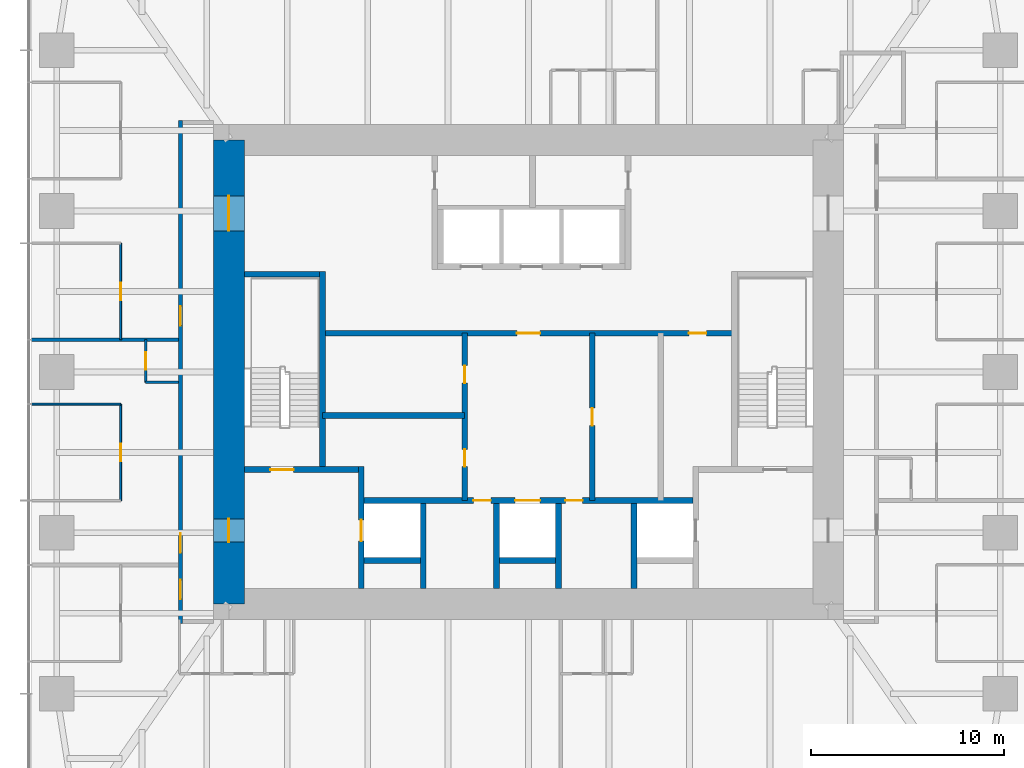
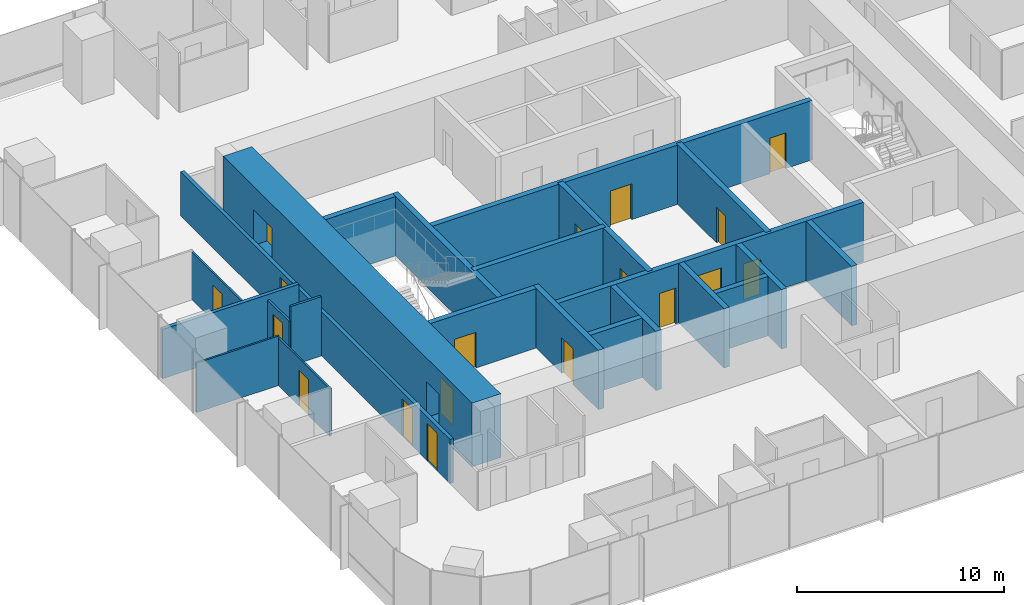
# One storey, part 9 of 13: 23 walls, 18 doors, 18 openings.
"""IFC4 building model written with IfcOpenShell, lengths in metres."""

from ifc_helpers import new_model, si_unit, direction, frame, frame_2d, origin, place, context, subcontext, project, spatial, rectangle, extrude, material, layer, layer_set, type_object, element, fill, save


model = new_model("IFC4")

# Units and contexts
model_context = context("Model", 3, precision=1e-05, world=origin(), true_north=direction((0.0, 1.0)))
body_context = subcontext(model_context, "Body", "Model", "MODEL_VIEW")
ifc_project = project(units=[si_unit("LENGTHUNIT", "METRE"), si_unit("AREAUNIT", "SQUARE_METRE"), si_unit("VOLUMEUNIT", "CUBIC_METRE"), si_unit("PLANEANGLEUNIT", "RADIAN"), si_unit("MASSUNIT", "GRAM", prefix="KILO")], contexts=[model_context])

# Site, building, storey
site_placement = place(None, origin())
site = spatial("IfcSite", under=ifc_project, at=site_placement, CompositionType="ELEMENT")
building_placement = place(site_placement, origin())
building = spatial("IfcBuilding", under=site, at=building_placement, Name="Khuree Lantern Residences", CompositionType="ELEMENT")
storey_placement = place(building_placement, frame((0.0, 0.0, 255.75)))
storey = spatial("IfcBuildingStorey", under=building, at=storey_placement, Name="L64", CompositionType="ELEMENT", Elevation=255.75)

# Wall, opening, door
ifc_material_1 = material(Name="Moisture-resistant gypsum board on steel studs", Category="steel")
ifc_layer_1 = layer(ifc_material_1, 0.125)
ifc_layer_set_1 = layer_set([ifc_layer_1], Name="BATHROOM WALL BTW125")
wall_type_1 = type_object("IfcWallType", Name="BATHROOM WALL BTW125", PredefinedType="PARTITIONING", material=ifc_layer_set_1)
wall_1_placement = place(storey_placement, frame((-19.800048828125, 1.6640625, 0.0), z_axis=(0.0, 0.0, 1.0), x_axis=(0.0, -1.0, 0.0)))
wall_1 = element("IfcWall", 1, at=wall_1_placement, inside=storey, type_object=wall_type_1, Name="L64 BATHROOM WALL 04", PredefinedType="PARTITIONING", context=body_context, shape_type="SweptSolid", body=[
    extrude(rectangle(XDim=2.199951171875, YDim=0.125, at=frame_2d((1.10009765625, 0.0))), origin(), (0.0, 0.0, 1.0), 2.60009765625),
])
opening_1_placement = place(wall_1_placement, frame((0.64990234375, 0.0, 0.0)))
opening_1 = element("IfcOpeningElement", 2, at=opening_1_placement, cuts=wall_1, Name="Opening 64-043", PredefinedType="OPENING", context=body_context, shape_type="SweptSolid", body=[
    extrude(rectangle(XDim=0.89990234375, YDim=2.10009765625, at=frame_2d((0.449951171875, 1.050048828125))), frame((0.0, 0.072509765625, 0.0), z_axis=(0.0, -1.0, 0.0), x_axis=(1.0, 0.0, 0.0)), (0.0, 0.0, 1.0), 0.14501953125),
])
ifc_material_2 = material(Name="Timber door leaf in hardwood frame", Category="wood")
door_type_1 = type_object("IfcDoorType", Name="BATHROOM DOOR 900X2100", OperationType="SINGLE_SWING_LEFT", PredefinedType="DOOR", material=ifc_material_2)
door_1_placement = place(opening_1_placement, origin())
door_1 = element("IfcDoor", 3, at=door_1_placement, inside=storey, type_object=door_type_1, Name="Bathroom door 64-043", OperationType="SINGLE_SWING_LEFT", OverallHeight=2.10009765625, OverallWidth=0.89990234375, PredefinedType="DOOR", context=body_context, shape_type="SweptSolid", body=[
    extrude(rectangle(XDim=0.89990234375, YDim=2.10009765625, at=frame_2d((0.449951171875, 1.050048828125))), frame((0.0, 0.02490234375, 0.0), z_axis=(0.0, -1.0, 0.0), x_axis=(1.0, 0.0, 0.0)), (0.0, 0.0, 1.0), 0.050048828125),
])
fill(opening_1, door_1)

# Wall
wall_2_placement = place(storey_placement, frame((-18.10009765625, -0.535888671875, 0.0), z_axis=(0.0, 0.0, 1.0), x_axis=(-1.0, 0.0, 0.0)))
element("IfcWall", 4, at=wall_2_placement, inside=storey, type_object=wall_type_1, Name="L64 BATHROOM WALL 04", PredefinedType="PARTITIONING", context=body_context, shape_type="SweptSolid", body=[
    extrude(rectangle(XDim=1.699951171875, YDim=0.125, at=frame_2d((0.85009765625, 0.0))), origin(), (0.0, 0.0, 1.0), 3.5),
])

# Wall, opening, door
ifc_material_3 = material(Name="Dense concrete blockwork", Category="masonry")
ifc_layer_2 = layer(ifc_material_3, 0.300048828125)
ifc_layer_set_2 = layer_set([ifc_layer_2], Name="CORE PARTITION WALL CPW300 EI 120")
wall_type_2 = type_object("IfcWallType", Name="CORE PARTITION WALL CPW300 EI 120", PredefinedType="PARTITIONING", material=ifc_layer_set_2)
wall_3_placement = place(storey_placement, frame((-8.64990234375, -11.199951171875, 0.0), z_axis=(0.0, 0.0, 1.0), x_axis=(0.0, 1.0, 0.0)))
wall_3 = element("IfcWall", 5, at=wall_3_placement, inside=storey, type_object=wall_type_2, Name="L64 CORE WALL FL1W", PredefinedType="PARTITIONING", context=body_context, shape_type="SweptSolid", body=[
    extrude(rectangle(XDim=6.300048828125, YDim=0.300048828125, at=frame_2d((3.14990234375, 0.0))), origin(), (0.0, 0.0, 1.0), 3.5),
])
opening_2_placement = place(wall_3_placement, frame((2.449951171875, 0.0, 0.0)))
opening_2 = element("IfcOpeningElement", 6, at=opening_2_placement, cuts=wall_3, Name="Opening 64-007", PredefinedType="OPENING", context=body_context, shape_type="SweptSolid", body=[
    extrude(rectangle(XDim=1.10009765625, YDim=2.10009765625, at=frame_2d((0.550048828125, 1.050048828125))), frame((0.0, 0.16015625, 0.0), z_axis=(0.0, -1.0, 0.0), x_axis=(1.0, 0.0, 0.0)), (0.0, 0.0, 1.0), 0.320068359375),
])
ifc_material_4 = material(Name="Stainless steel lift landing door", Category="steel")
door_type_2 = type_object("IfcDoorType", Name="LIFT LANDING DOOR 1100X2100 E 120", OperationType="DOUBLE_DOOR_SLIDING", PredefinedType="DOOR", material=ifc_material_4)
door_2_placement = place(opening_2_placement, origin())
door_2 = element("IfcDoor", 7, at=door_2_placement, inside=storey, type_object=door_type_2, Name="Landing door FL1 64-007", OperationType="DOUBLE_DOOR_SLIDING", OverallHeight=2.10009765625, OverallWidth=1.10009765625, PredefinedType="DOOR", context=body_context, shape_type="SweptSolid", body=[
    extrude(rectangle(XDim=1.10009765625, YDim=2.10009765625, at=frame_2d((0.550048828125, 1.050048828125))), frame((0.0, 0.02490234375, 0.0), z_axis=(0.0, -1.0, 0.0), x_axis=(1.0, 0.0, 0.0)), (0.0, 0.0, 1.0), 0.050048828125),
])
fill(opening_2, door_2)

# Wall, openings, doors
wall_4_placement = place(storey_placement, frame((-8.5, -6.64990234375, 0.0), z_axis=(0.0, 0.0, 1.0), x_axis=(1.0, 0.0, 0.0)))
wall_4 = element("IfcWall", 8, at=wall_4_placement, inside=storey, type_object=wall_type_2, Name="L64 CORE WALL FLROW", PredefinedType="PARTITIONING", context=body_context, shape_type="SweptSolid", body=[
    extrude(rectangle(XDim=17.0, YDim=0.300048828125, at=frame_2d((8.5, 0.0))), origin(), (0.0, 0.0, 1.0), 3.5),
])
opening_3_placement = place(wall_4_placement, frame((7.800048828125, 0.0, 0.0)))
opening_3 = element("IfcOpeningElement", 9, at=opening_3_placement, cuts=wall_4, Name="Opening 64-012", PredefinedType="OPENING", context=body_context, shape_type="SweptSolid", body=[
    extrude(rectangle(XDim=1.300048828125, YDim=2.39990234375, at=frame_2d((0.64990234375, 1.199951171875))), frame((0.0, 0.16015625, 0.0), z_axis=(0.0, -1.0, 0.0), x_axis=(1.0, 0.0, 0.0)), (0.0, 0.0, 1.0), 0.320068359375),
])
opening_4_placement = place(wall_4_placement, frame((5.64990234375, 0.0, 0.0)))
opening_4 = element("IfcOpeningElement", 10, at=opening_4_placement, cuts=wall_4, Name="Opening 64-014", PredefinedType="OPENING", context=body_context, shape_type="SweptSolid", body=[
    extrude(rectangle(XDim=0.89990234375, YDim=2.10009765625, at=frame_2d((0.449951171875, 1.050048828125))), frame((0.0, 0.16015625, 0.0), z_axis=(0.0, -1.0, 0.0), x_axis=(1.0, 0.0, 0.0)), (0.0, 0.0, 1.0), 0.320068359375),
])
opening_5_placement = place(wall_4_placement, frame((10.39990234375, 0.0, 0.0)))
opening_5 = element("IfcOpeningElement", 11, at=opening_5_placement, cuts=wall_4, Name="Opening 64-015", PredefinedType="OPENING", context=body_context, shape_type="SweptSolid", body=[
    extrude(rectangle(XDim=0.89990234375, YDim=2.10009765625, at=frame_2d((0.449951171875, 1.050048828125))), frame((0.0, 0.16015625, 0.0), z_axis=(0.0, -1.0, 0.0), x_axis=(1.0, 0.0, 0.0)), (0.0, 0.0, 1.0), 0.320068359375),
])
ifc_material_5 = material(Name="Steel door leaf in steel frame", Category="steel")
door_type_3 = type_object("IfcDoorType", Name="DOOR 900X2100 EI 60", OperationType="SINGLE_SWING_LEFT", PredefinedType="DOOR", material=ifc_material_5)
door_3_placement = place(opening_4_placement, origin())
door_3 = element("IfcDoor", 12, at=door_3_placement, inside=storey, type_object=door_type_3, Name="Refuse chute room door 64-014", OperationType="SINGLE_SWING_LEFT", OverallHeight=2.10009765625, OverallWidth=0.89990234375, PredefinedType="DOOR", context=body_context, shape_type="SweptSolid", body=[
    extrude(rectangle(XDim=0.89990234375, YDim=2.10009765625, at=frame_2d((0.449951171875, 1.050048828125))), frame((0.0, 0.02490234375, 0.0), z_axis=(0.0, -1.0, 0.0), x_axis=(1.0, 0.0, 0.0)), (0.0, 0.0, 1.0), 0.050048828125),
])
fill(opening_4, door_3)
door_type_4 = type_object("IfcDoorType", Name="DOOR 900X2100 EI 60 RIGHT HAND", OperationType="SINGLE_SWING_RIGHT", PredefinedType="DOOR", material=ifc_material_5)
door_4_placement = place(opening_5_placement, origin())
door_4 = element("IfcDoor", 13, at=door_4_placement, inside=storey, type_object=door_type_4, Name="Electrical and plumbing riser door 64-015", OperationType="SINGLE_SWING_RIGHT", OverallHeight=2.10009765625, OverallWidth=0.89990234375, PredefinedType="DOOR", context=body_context, shape_type="SweptSolid", body=[
    extrude(rectangle(XDim=0.89990234375, YDim=2.10009765625, at=frame_2d((0.449951171875, 1.050048828125))), frame((0.0, 0.02490234375, 0.0), z_axis=(0.0, -1.0, 0.0), x_axis=(1.0, 0.0, 0.0)), (0.0, 0.0, 1.0), 0.050048828125),
])
fill(opening_5, door_4)
door_type_5 = type_object("IfcDoorType", Name="LIFT LANDING DOOR 1300X2400 E 60", OperationType="DOUBLE_DOOR_SLIDING", PredefinedType="DOOR", material=ifc_material_4)
door_5_placement = place(opening_3_placement, origin())
door_5 = element("IfcDoor", 14, at=door_5_placement, inside=storey, type_object=door_type_5, Name="Landing door SL1 64-012", OperationType="DOUBLE_DOOR_SLIDING", OverallHeight=2.39990234375, OverallWidth=1.300048828125, PredefinedType="DOOR", context=body_context, shape_type="SweptSolid", body=[
    extrude(rectangle(XDim=1.300048828125, YDim=2.39990234375, at=frame_2d((0.64990234375, 1.199951171875))), frame((0.0, 0.02490234375, 0.0), z_axis=(0.0, -1.0, 0.0), x_axis=(1.0, 0.0, 0.0)), (0.0, 0.0, 1.0), 0.050048828125),
])
fill(opening_3, door_5)

# Walls
for number, where, z_axis, x_axis, name in (
    (15, (-5.449951171875, -11.199951171875, 0.0), (0.0, 0.0, 1.0), (0.0, 1.0, 0.0), "L64 CORE WALL FL1E"),
    (16, (-1.64990234375, -11.199951171875, 0.0), (0.0, 0.0, 1.0), (0.0, 1.0, 0.0), "L64 CORE WALL SL1W"),
    (17, (1.550048828125, -11.199951171875, 0.0), (0.0, 0.0, 1.0), (0.0, 1.0, 0.0), "L64 CORE WALL SL1E"),
    (18, (5.449951171875, -11.199951171875, 0.0), (0.0, 0.0, 1.0), (0.0, 1.0, 0.0), "L64 CORE WALL FL2W"),
):
    element("IfcWall", number, at=place(storey_placement, frame(where, z_axis=z_axis, x_axis=x_axis)), inside=storey, type_object=wall_type_2, Name=name, PredefinedType="PARTITIONING", context=body_context, shape_type="SweptSolid", body=[
        extrude(rectangle(XDim=4.39990234375, YDim=0.300048828125, at=frame_2d((2.199951171875, 0.0))), origin(), (0.0, 0.0, 1.0), 3.5),
    ])
for number, where, z_axis, x_axis, name in (
    (19, (-8.5, -9.75, 0.0), (0.0, 0.0, 1.0), (1.0, 0.0, 0.0), "L64 CORE WALL FL1S"),
    (20, (-1.5, -9.75, 0.0), (0.0, 0.0, 1.0), (1.0, 0.0, 0.0), "L64 CORE WALL SL1S"),
):
    element("IfcWall", number, at=place(storey_placement, frame(where, z_axis=z_axis, x_axis=x_axis)), inside=storey, type_object=wall_type_2, Name=name, PredefinedType="PARTITIONING", context=body_context, shape_type="SweptSolid", body=[
        extrude(rectangle(XDim=2.89990234375, YDim=0.300048828125, at=frame_2d((1.449951171875, 0.0))), origin(), (0.0, 0.0, 1.0), 3.5),
    ])

# Wall, openings, doors
wall_5_placement = place(storey_placement, frame((-10.64990234375, 2.0, 0.0), z_axis=(0.0, 0.0, 1.0), x_axis=(1.0, 0.0, 0.0)))
wall_5 = element("IfcWall", 21, at=wall_5_placement, inside=storey, type_object=wall_type_2, Name="L64 CORE WALL LLS", PredefinedType="PARTITIONING", context=body_context, shape_type="SweptSolid", body=[
    extrude(rectangle(XDim=21.2998046875, YDim=0.300048828125, at=frame_2d((10.64990234375, 0.0))), origin(), (0.0, 0.0, 1.0), 3.5),
])
opening_6_placement = place(wall_5_placement, frame((10.050048828125, 0.0, 0.0)))
opening_6 = element("IfcOpeningElement", 22, at=opening_6_placement, cuts=wall_5, Name="Opening 64-013", PredefinedType="OPENING", context=body_context, shape_type="SweptSolid", body=[
    extrude(rectangle(XDim=1.199951171875, YDim=2.10009765625, at=frame_2d((0.60009765625, 1.050048828125))), frame((0.0, 0.16015625, 0.0), z_axis=(0.0, -1.0, 0.0), x_axis=(1.0, 0.0, 0.0)), (0.0, 0.0, 1.0), 0.320068359375),
])
opening_7_placement = place(wall_5_placement, frame((18.94189453125, 0.0, 0.0)))
opening_7 = element("IfcOpeningElement", 23, at=opening_7_placement, cuts=wall_5, Name="Opening 64-019", PredefinedType="OPENING", context=body_context, shape_type="SweptSolid", body=[
    extrude(rectangle(XDim=0.89990234375, YDim=2.10009765625, at=frame_2d((0.449951171875, 1.050048828125))), frame((0.0, 0.16015625, 0.0), z_axis=(0.0, -1.0, 0.0), x_axis=(1.0, 0.0, 0.0)), (0.0, 0.0, 1.0), 0.320068359375),
])
door_type_6 = type_object("IfcDoorType", Name="DOOR 1200X2100 EI 60", OperationType="SINGLE_SWING_LEFT", PredefinedType="DOOR", material=ifc_material_5)
door_6_placement = place(opening_6_placement, origin())
door_6 = element("IfcDoor", 24, at=door_6_placement, inside=storey, type_object=door_type_6, Name="Service lift lobby door 64-013", OperationType="SINGLE_SWING_LEFT", OverallHeight=2.10009765625, OverallWidth=1.199951171875, PredefinedType="DOOR", context=body_context, shape_type="SweptSolid", body=[
    extrude(rectangle(XDim=1.199951171875, YDim=2.10009765625, at=frame_2d((0.60009765625, 1.050048828125))), frame((0.0, 0.02490234375, 0.0), z_axis=(0.0, -1.0, 0.0), x_axis=(1.0, 0.0, 0.0)), (0.0, 0.0, 1.0), 0.050048828125),
])
fill(opening_6, door_6)
door_type_7 = type_object("IfcDoorType", Name="DOOR 900X2100 RIGHT HAND", OperationType="SINGLE_SWING_RIGHT", PredefinedType="DOOR", material=ifc_material_2)
door_7_placement = place(opening_7_placement, origin())
door_7 = element("IfcDoor", 25, at=door_7_placement, inside=storey, type_object=door_type_7, Name="Residents' store door 64-019", OperationType="SINGLE_SWING_RIGHT", OverallHeight=2.10009765625, OverallWidth=0.89990234375, PredefinedType="DOOR", context=body_context, shape_type="SweptSolid", body=[
    extrude(rectangle(XDim=0.89990234375, YDim=2.10009765625, at=frame_2d((0.449951171875, 1.050048828125))), frame((0.0, 0.02490234375, 0.0), z_axis=(0.0, -1.0, 0.0), x_axis=(1.0, 0.0, 0.0)), (0.0, 0.0, 1.0), 0.050048828125),
])
fill(opening_7, door_7)

wall_6_placement = place(storey_placement, frame((-3.300048828125, -6.64990234375, 0.0), z_axis=(0.0, 0.0, 1.0), x_axis=(0.0, 1.0, 0.0)))
wall_6 = element("IfcWall", 26, at=wall_6_placement, inside=storey, type_object=wall_type_2, Name="L64 CORE WALL SVW", PredefinedType="PARTITIONING", context=body_context, shape_type="SweptSolid", body=[
    extrude(rectangle(XDim=8.64990234375, YDim=0.300048828125, at=frame_2d((4.324951171875, 0.0))), origin(), (0.0, 0.0, 1.0), 3.5),
])
opening_8_placement = place(wall_6_placement, frame((1.75, 0.0, 0.0)))
opening_8 = element("IfcOpeningElement", 27, at=opening_8_placement, cuts=wall_6, Name="Opening 64-016", PredefinedType="OPENING", context=body_context, shape_type="SweptSolid", body=[
    extrude(rectangle(XDim=0.89990234375, YDim=2.10009765625, at=frame_2d((0.449951171875, 1.050048828125))), frame((0.0, 0.16015625, 0.0), z_axis=(0.0, -1.0, 0.0), x_axis=(1.0, 0.0, 0.0)), (0.0, 0.0, 1.0), 0.320068359375),
])
opening_9_placement = place(wall_6_placement, frame((6.074951171875, 0.0, 0.0)))
opening_9 = element("IfcOpeningElement", 28, at=opening_9_placement, cuts=wall_6, Name="Opening 64-017", PredefinedType="OPENING", context=body_context, shape_type="SweptSolid", body=[
    extrude(rectangle(XDim=0.89990234375, YDim=2.10009765625, at=frame_2d((0.449951171875, 1.050048828125))), frame((0.0, 0.16015625, 0.0), z_axis=(0.0, -1.0, 0.0), x_axis=(1.0, 0.0, 0.0)), (0.0, 0.0, 1.0), 0.320068359375),
])
door_type_8 = type_object("IfcDoorType", Name="DOOR 900X2100", OperationType="SINGLE_SWING_LEFT", PredefinedType="DOOR", material=ifc_material_2)
door_8_placement = place(opening_8_placement, origin())
door_8 = element("IfcDoor", 29, at=door_8_placement, inside=storey, type_object=door_type_8, Name="Residents' store door 64-016", OperationType="SINGLE_SWING_LEFT", OverallHeight=2.10009765625, OverallWidth=0.89990234375, PredefinedType="DOOR", context=body_context, shape_type="SweptSolid", body=[
    extrude(rectangle(XDim=0.89990234375, YDim=2.10009765625, at=frame_2d((0.449951171875, 1.050048828125))), frame((0.0, 0.02490234375, 0.0), z_axis=(0.0, -1.0, 0.0), x_axis=(1.0, 0.0, 0.0)), (0.0, 0.0, 1.0), 0.050048828125),
])
fill(opening_8, door_8)
door_9_placement = place(opening_9_placement, origin())
door_9 = element("IfcDoor", 30, at=door_9_placement, inside=storey, type_object=door_type_8, Name="Residents' store door 64-017", OperationType="SINGLE_SWING_LEFT", OverallHeight=2.10009765625, OverallWidth=0.89990234375, PredefinedType="DOOR", context=body_context, shape_type="SweptSolid", body=[
    extrude(rectangle(XDim=0.89990234375, YDim=2.10009765625, at=frame_2d((0.449951171875, 1.050048828125))), frame((0.0, 0.02490234375, 0.0), z_axis=(0.0, -1.0, 0.0), x_axis=(1.0, 0.0, 0.0)), (0.0, 0.0, 1.0), 0.050048828125),
])
fill(opening_9, door_9)

# Wall, opening, door
wall_7_placement = place(storey_placement, frame((3.300048828125, -6.64990234375, 0.0), z_axis=(0.0, 0.0, 1.0), x_axis=(0.0, 1.0, 0.0)))
wall_7 = element("IfcWall", 31, at=wall_7_placement, inside=storey, type_object=wall_type_2, Name="L64 CORE WALL SVE", PredefinedType="PARTITIONING", context=body_context, shape_type="SweptSolid", body=[
    extrude(rectangle(XDim=8.64990234375, YDim=0.300048828125, at=frame_2d((4.324951171875, 0.0))), origin(), (0.0, 0.0, 1.0), 3.5),
])
opening_10_placement = place(wall_7_placement, frame((3.875, 0.0, 0.0)))
opening_10 = element("IfcOpeningElement", 32, at=opening_10_placement, cuts=wall_7, Name="Opening 64-018", PredefinedType="OPENING", context=body_context, shape_type="SweptSolid", body=[
    extrude(rectangle(XDim=0.89990234375, YDim=2.10009765625, at=frame_2d((0.449951171875, 1.050048828125))), frame((0.0, 0.16015625, 0.0), z_axis=(0.0, -1.0, 0.0), x_axis=(1.0, 0.0, 0.0)), (0.0, 0.0, 1.0), 0.320068359375),
])
door_10_placement = place(opening_10_placement, origin())
door_10 = element("IfcDoor", 33, at=door_10_placement, inside=storey, type_object=door_type_8, Name="Residents' store door 64-018", OperationType="SINGLE_SWING_LEFT", OverallHeight=2.10009765625, OverallWidth=0.89990234375, PredefinedType="DOOR", context=body_context, shape_type="SweptSolid", body=[
    extrude(rectangle(XDim=0.89990234375, YDim=2.10009765625, at=frame_2d((0.449951171875, 1.050048828125))), frame((0.0, 0.02490234375, 0.0), z_axis=(0.0, -1.0, 0.0), x_axis=(1.0, 0.0, 0.0)), (0.0, 0.0, 1.0), 0.050048828125),
])
fill(opening_10, door_10)

# Wall
wall_8_placement = place(storey_placement, frame((-10.64990234375, -2.25, 0.0), z_axis=(0.0, 0.0, 1.0), x_axis=(1.0, 0.0, 0.0)))
element("IfcWall", 34, at=wall_8_placement, inside=storey, type_object=wall_type_2, Name="L64 CORE WALL WX", PredefinedType="PARTITIONING", context=body_context, shape_type="SweptSolid", body=[
    extrude(rectangle(XDim=7.349853515625, YDim=0.300048828125, at=frame_2d((3.6748046875, 0.0))), origin(), (0.0, 0.0, 1.0), 3.5),
])

# Wall, openings, doors
ifc_material_6 = material(Name="Gypsum board on steel studs", Category="steel")
ifc_layer_3 = layer(ifc_material_6, 0.199951171875)
ifc_layer_set_3 = layer_set([ifc_layer_3], Name="CORRIDOR WALL CRW200 EI 60")
wall_type_3 = type_object("IfcWallType", Name="CORRIDOR WALL CRW200 EI 60", PredefinedType="PARTITIONING", material=ifc_layer_set_3)
wall_9_placement = place(storey_placement, frame((-18.0, 13.0, 0.0), z_axis=(0.0, 0.0, 1.0), x_axis=(0.0, -1.0, 0.0)))
wall_9 = element("IfcWall", 35, at=wall_9_placement, inside=storey, type_object=wall_type_3, Name="L64 CORRIDOR WALL WEST 1", PredefinedType="PARTITIONING", context=body_context, shape_type="SweptSolid", body=[
    extrude(rectangle(XDim=26.0, YDim=0.199951171875, at=frame_2d((13.0, 0.0))), origin(), (0.0, 0.0, 1.0), 2.60009765625),
])
opening_11_placement = place(wall_9_placement, frame((9.60009765625, 0.0, 0.0)))
opening_11 = element("IfcOpeningElement", 36, at=opening_11_placement, cuts=wall_9, Name="Opening 64-041", PredefinedType="OPENING", context=body_context, shape_type="SweptSolid", body=[
    extrude(rectangle(XDim=1.0, YDim=2.199951171875, at=frame_2d((0.5, 1.10009765625))), frame((0.0, 0.10986328125, 0.0), z_axis=(0.0, -1.0, 0.0), x_axis=(1.0, 0.0, 0.0)), (0.0, 0.0, 1.0), 0.219970703125),
])
opening_12_placement = place(wall_9_placement, frame((21.35595703125, 0.0, 0.0)))
opening_12 = element("IfcOpeningElement", 37, at=opening_12_placement, cuts=wall_9, Name="Opening 64-044", PredefinedType="OPENING", context=body_context, shape_type="SweptSolid", body=[
    extrude(rectangle(XDim=1.0, YDim=2.199951171875, at=frame_2d((0.5, 1.10009765625))), frame((0.0, 0.10986328125, 0.0), z_axis=(0.0, -1.0, 0.0), x_axis=(1.0, 0.0, 0.0)), (0.0, 0.0, 1.0), 0.219970703125),
])
opening_13_placement = place(wall_9_placement, frame((23.75390625, 0.0, 0.0)))
opening_13 = element("IfcOpeningElement", 38, at=opening_13_placement, cuts=wall_9, Name="Opening 64-053", PredefinedType="OPENING", context=body_context, shape_type="SweptSolid", body=[
    extrude(rectangle(XDim=1.0, YDim=2.199951171875, at=frame_2d((0.5, 1.10009765625))), frame((0.0, 0.10986328125, 0.0), z_axis=(0.0, -1.0, 0.0), x_axis=(1.0, 0.0, 0.0)), (0.0, 0.0, 1.0), 0.219970703125),
])
door_type_9 = type_object("IfcDoorType", Name="APARTMENT ENTRANCE DOOR 1000X2200 EI 30S", OperationType="SINGLE_SWING_LEFT", PredefinedType="DOOR", material=ifc_material_2)
door_11_placement = place(opening_11_placement, origin())
door_11 = element("IfcDoor", 39, at=door_11_placement, inside=storey, type_object=door_type_9, Name="Apartment 03 entrance door 64-041", OperationType="SINGLE_SWING_LEFT", OverallHeight=2.199951171875, OverallWidth=1.0, PredefinedType="DOOR", context=body_context, shape_type="SweptSolid", body=[
    extrude(rectangle(XDim=1.0, YDim=2.199951171875, at=frame_2d((0.5, 1.10009765625))), frame((0.0, 0.02490234375, 0.0), z_axis=(0.0, -1.0, 0.0), x_axis=(1.0, 0.0, 0.0)), (0.0, 0.0, 1.0), 0.050048828125),
])
fill(opening_11, door_11)
door_type_10 = type_object("IfcDoorType", Name="APARTMENT ENTRANCE DOOR 1000X2200 EI 30S RIGHT HAND", OperationType="SINGLE_SWING_RIGHT", PredefinedType="DOOR", material=ifc_material_2)
door_12_placement = place(opening_12_placement, origin())
door_12 = element("IfcDoor", 40, at=door_12_placement, inside=storey, type_object=door_type_10, Name="Apartment 04 entrance door 64-044", OperationType="SINGLE_SWING_RIGHT", OverallHeight=2.199951171875, OverallWidth=1.0, PredefinedType="DOOR", context=body_context, shape_type="SweptSolid", body=[
    extrude(rectangle(XDim=1.0, YDim=2.199951171875, at=frame_2d((0.5, 1.10009765625))), frame((0.0, 0.02490234375, 0.0), z_axis=(0.0, -1.0, 0.0), x_axis=(1.0, 0.0, 0.0)), (0.0, 0.0, 1.0), 0.050048828125),
])
fill(opening_12, door_12)
door_13_placement = place(opening_13_placement, origin())
door_13 = element("IfcDoor", 41, at=door_13_placement, inside=storey, type_object=door_type_10, Name="Apartment 05 entrance door 64-053", OperationType="SINGLE_SWING_RIGHT", OverallHeight=2.199951171875, OverallWidth=1.0, PredefinedType="DOOR", context=body_context, shape_type="SweptSolid", body=[
    extrude(rectangle(XDim=1.0, YDim=2.199951171875, at=frame_2d((0.5, 1.10009765625))), frame((0.0, 0.02490234375, 0.0), z_axis=(0.0, -1.0, 0.0), x_axis=(1.0, 0.0, 0.0)), (0.0, 0.0, 1.0), 0.050048828125),
])
fill(opening_13, door_13)

ifc_material_7 = material(Name="Concrete C50/60", Category="concrete")
ifc_layer_4 = layer(ifc_material_7, 1.60009765625)
ifc_layer_set_4 = layer_set([ifc_layer_4], Name="CW1600-C50 CORE WALL C50 1600")
wall_type_4 = type_object("IfcWallType", Name="CW1600-C50 CORE WALL C50 1600", PredefinedType="SHEAR", material=ifc_layer_set_4)
wall_10_placement = place(storey_placement, frame((-15.5, -12.0, -0.25), z_axis=(0.0, 0.0, 1.0), x_axis=(0.0, 1.0, 0.0)))
wall_10 = element("IfcWall", 42, at=wall_10_placement, inside=storey, type_object=wall_type_4, Name="Core wall W", PredefinedType="SHEAR", context=body_context, shape_type="SweptSolid", body=[
    extrude(rectangle(XDim=24.0, YDim=1.60009765625, at=frame_2d((12.0, 0.0))), origin(), (0.0, 0.0, 1.0), 3.75),
])
opening_14_placement = place(wall_10_placement, frame((3.199951171875, 0.0, 0.25)))
opening_14 = element("IfcOpeningElement", 43, at=opening_14_placement, cuts=wall_10, Name="Opening 64-002", PredefinedType="OPENING", context=body_context, shape_type="SweptSolid", body=[
    extrude(rectangle(XDim=1.199951171875, YDim=2.10009765625, at=frame_2d((0.60009765625, 1.050048828125))), frame((0.0, 0.81005859375, 0.0), z_axis=(0.0, -1.0, 0.0), x_axis=(1.0, 0.0, 0.0)), (0.0, 0.0, 1.0), 1.6201171875),
])
opening_15_placement = place(wall_10_placement, frame((19.300048828125, 0.0, 0.25)))
opening_15 = element("IfcOpeningElement", 44, at=opening_15_placement, cuts=wall_10, Name="Opening 64-003", PredefinedType="OPENING", context=body_context, shape_type="SweptSolid", body=[
    extrude(rectangle(XDim=1.800048828125, YDim=2.10009765625, at=frame_2d((0.89990234375, 1.050048828125))), frame((0.0, 0.81005859375, 0.0), z_axis=(0.0, -1.0, 0.0), x_axis=(1.0, 0.0, 0.0)), (0.0, 0.0, 1.0), 1.6201171875),
])
door_type_11 = type_object("IfcDoorType", Name="LOBBY DOOR 1200X2100 EI 120", OperationType="SINGLE_SWING_LEFT", PredefinedType="DOOR", material=ifc_material_5)
door_14_placement = place(opening_14_placement, origin())
door_14 = element("IfcDoor", 45, at=door_14_placement, inside=storey, type_object=door_type_11, Name="Firefighting lobby door 64-002", OperationType="SINGLE_SWING_LEFT", OverallHeight=2.10009765625, OverallWidth=1.199951171875, PredefinedType="DOOR", context=body_context, shape_type="SweptSolid", body=[
    extrude(rectangle(XDim=1.199951171875, YDim=2.10009765625, at=frame_2d((0.60009765625, 1.050048828125))), frame((0.0, 0.02490234375, 0.0), z_axis=(0.0, -1.0, 0.0), x_axis=(1.0, 0.0, 0.0)), (0.0, 0.0, 1.0), 0.050048828125),
])
fill(opening_14, door_14)
door_type_12 = type_object("IfcDoorType", Name="LOBBY DOUBLE DOOR 1800X2100 EI 60", OperationType="DOUBLE_DOOR_SINGLE_SWING", PredefinedType="DOOR", material=ifc_material_5)
door_15_placement = place(opening_15_placement, origin())
door_15 = element("IfcDoor", 46, at=door_15_placement, inside=storey, type_object=door_type_12, Name="Lift lobby door 64-003", OperationType="DOUBLE_DOOR_SINGLE_SWING", OverallHeight=2.10009765625, OverallWidth=1.800048828125, PredefinedType="DOOR", context=body_context, shape_type="SweptSolid", body=[
    extrude(rectangle(XDim=1.800048828125, YDim=2.10009765625, at=frame_2d((0.89990234375, 1.050048828125))), frame((0.0, 0.02490234375, 0.0), z_axis=(0.0, -1.0, 0.0), x_axis=(1.0, 0.0, 0.0)), (0.0, 0.0, 1.0), 0.050048828125),
])
fill(opening_15, door_15)

# Walls
ifc_layer_5 = layer(ifc_material_6, 0.199951171875)
ifc_layer_set_5 = layer_set([ifc_layer_5], Name="DEMISING WALL DMW200 EI 90")
wall_type_5 = type_object("IfcWallType", Name="DEMISING WALL DMW200 EI 90", PredefinedType="PARTITIONING", material=ifc_layer_set_5)
wall_11_placement = place(storey_placement, frame((-18.10009765625, 1.6640625, 0.0), z_axis=(0.0, 0.0, 1.0), x_axis=(-1.0, 0.0, 0.0)))
element("IfcWall", 47, at=wall_11_placement, inside=storey, type_object=wall_type_5, Name="L64 DEMISING WALL 04", PredefinedType="PARTITIONING", context=body_context, shape_type="SweptSolid", body=[
    extrude(rectangle(XDim=7.599853515625, YDim=0.199951171875, at=frame_2d((3.7998046875, 0.0))), origin(), (0.0, 0.0, 1.0), 2.909912109375),
])
ifc_layer_6 = layer(ifc_material_6, 0.10009765625)
ifc_layer_set_6 = layer_set([ifc_layer_6], Name="PARTITION PT100")
wall_type_6 = type_object("IfcWallType", Name="PARTITION PT100", PredefinedType="PARTITIONING", material=ifc_layer_set_6)
wall_12_placement = place(storey_placement, frame((-21.10009765625, -1.6640625, 0.0), z_axis=(0.0, 0.0, 1.0), x_axis=(-1.0, 0.0, 0.0)))
element("IfcWall", 48, at=wall_12_placement, inside=storey, type_object=wall_type_6, Name="L64 PARTITION 04", PredefinedType="PARTITIONING", context=body_context, shape_type="SweptSolid", body=[
    extrude(rectangle(XDim=4.599853515625, YDim=0.10009765625, at=frame_2d((2.2998046875, 0.0))), origin(), (0.0, 0.0, 1.0), 2.909912109375),
])

# Wall, opening, door
wall_13_placement = place(storey_placement, frame((-21.10009765625, 6.656005859375, 0.0), z_axis=(0.0, 0.0, 1.0), x_axis=(0.0, -1.0, 0.0)))
wall_13 = element("IfcWall", 49, at=wall_13_placement, inside=storey, type_object=wall_type_6, Name="L64 PARTITION 03", PredefinedType="PARTITIONING", context=body_context, shape_type="SweptSolid", body=[
    extrude(rectangle(XDim=4.991943359375, YDim=0.10009765625, at=frame_2d((2.49609375, 0.0))), origin(), (0.0, 0.0, 1.0), 2.81005859375),
])
opening_16_placement = place(wall_13_placement, frame((2.0458984375, 0.0, 0.0)))
opening_16 = element("IfcOpeningElement", 50, at=opening_16_placement, cuts=wall_13, Name="Opening 64-037", PredefinedType="OPENING", context=body_context, shape_type="SweptSolid", body=[
    extrude(rectangle(XDim=0.89990234375, YDim=2.10009765625, at=frame_2d((0.449951171875, 1.050048828125))), frame((0.0, 0.06005859375, 0.0), z_axis=(0.0, -1.0, 0.0), x_axis=(1.0, 0.0, 0.0)), (0.0, 0.0, 1.0), 0.1201171875),
])
door_type_13 = type_object("IfcDoorType", Name="BEDROOM DOOR 900X2100 RIGHT HAND", OperationType="SINGLE_SWING_RIGHT", PredefinedType="DOOR", material=ifc_material_2)
door_16_placement = place(opening_16_placement, origin())
door_16 = element("IfcDoor", 51, at=door_16_placement, inside=storey, type_object=door_type_13, Name="Bedroom door 64-037", OperationType="SINGLE_SWING_RIGHT", OverallHeight=2.10009765625, OverallWidth=0.89990234375, PredefinedType="DOOR", context=body_context, shape_type="SweptSolid", body=[
    extrude(rectangle(XDim=0.89990234375, YDim=2.10009765625, at=frame_2d((0.449951171875, 1.050048828125))), frame((0.0, 0.02490234375, 0.0), z_axis=(0.0, -1.0, 0.0), x_axis=(1.0, 0.0, 0.0)), (0.0, 0.0, 1.0), 0.050048828125),
])
fill(opening_16, door_16)

wall_14_placement = place(storey_placement, frame((-21.10009765625, -1.6640625, 0.0), z_axis=(0.0, 0.0, 1.0), x_axis=(0.0, -1.0, 0.0)))
wall_14 = element("IfcWall", 52, at=wall_14_placement, inside=storey, type_object=wall_type_6, Name="L64 PARTITION 04", PredefinedType="PARTITIONING", context=body_context, shape_type="SweptSolid", body=[
    extrude(rectangle(XDim=4.991943359375, YDim=0.10009765625, at=frame_2d((2.49609375, 0.0))), origin(), (0.0, 0.0, 1.0), 2.81005859375),
])
opening_17_placement = place(wall_14_placement, frame((2.0458984375, 0.0, 0.0)))
opening_17 = element("IfcOpeningElement", 53, at=opening_17_placement, cuts=wall_14, Name="Opening 64-042", PredefinedType="OPENING", context=body_context, shape_type="SweptSolid", body=[
    extrude(rectangle(XDim=0.89990234375, YDim=2.10009765625, at=frame_2d((0.449951171875, 1.050048828125))), frame((0.0, 0.06005859375, 0.0), z_axis=(0.0, -1.0, 0.0), x_axis=(1.0, 0.0, 0.0)), (0.0, 0.0, 1.0), 0.1201171875),
])
door_type_14 = type_object("IfcDoorType", Name="BEDROOM DOOR 900X2100", OperationType="SINGLE_SWING_LEFT", PredefinedType="DOOR", material=ifc_material_2)
door_17_placement = place(opening_17_placement, origin())
door_17 = element("IfcDoor", 54, at=door_17_placement, inside=storey, type_object=door_type_14, Name="Bedroom door 64-042", OperationType="SINGLE_SWING_LEFT", OverallHeight=2.10009765625, OverallWidth=0.89990234375, PredefinedType="DOOR", context=body_context, shape_type="SweptSolid", body=[
    extrude(rectangle(XDim=0.89990234375, YDim=2.10009765625, at=frame_2d((0.449951171875, 1.050048828125))), frame((0.0, 0.02490234375, 0.0), z_axis=(0.0, -1.0, 0.0), x_axis=(1.0, 0.0, 0.0)), (0.0, 0.0, 1.0), 0.050048828125),
])
fill(opening_17, door_17)

# Wall
ifc_layer_7 = layer(ifc_material_7, 0.300048828125)
ifc_layer_set_7 = layer_set([ifc_layer_7], Name="STAIR WALL SRW300 C50/60 REI 240")
wall_type_7 = type_object("IfcWallType", Name="STAIR WALL SRW300 C50/60 REI 240", PredefinedType="SOLIDWALL", material=ifc_layer_set_7)
wall_15_placement = place(storey_placement, frame((-10.64990234375, -4.89990234375, 0.0), z_axis=(0.0, 0.0, 1.0), x_axis=(0.0, 1.0, 0.0)))
element("IfcWall", 55, at=wall_15_placement, inside=storey, type_object=wall_type_7, Name="L64 STAIR WALL ST1E", PredefinedType="SOLIDWALL", context=body_context, shape_type="SweptSolid", body=[
    extrude(rectangle(XDim=10.099853515625, YDim=0.300048828125, at=frame_2d((5.0498046875, 0.0))), origin(), (0.0, 0.0, 1.0), 3.5),
])

# Wall, opening, door
wall_16_placement = place(storey_placement, frame((-14.699951171875, -5.050048828125, 0.0), z_axis=(0.0, 0.0, 1.0), x_axis=(1.0, 0.0, 0.0)))
wall_16 = element("IfcWall", 56, at=wall_16_placement, inside=storey, type_object=wall_type_7, Name="L64 STAIR WALL ST1S", PredefinedType="SOLIDWALL", context=body_context, shape_type="SweptSolid", body=[
    extrude(rectangle(XDim=5.89990234375, YDim=0.300048828125, at=frame_2d((2.949951171875, 0.0))), origin(), (0.0, 0.0, 1.0), 3.5),
])
opening_18_placement = place(wall_16_placement, frame((1.35009765625, 0.0, 0.0)))
opening_18 = element("IfcOpeningElement", 57, at=opening_18_placement, cuts=wall_16, Name="Opening 64-001", PredefinedType="OPENING", context=body_context, shape_type="SweptSolid", body=[
    extrude(rectangle(XDim=1.199951171875, YDim=2.10009765625, at=frame_2d((0.60009765625, 1.050048828125))), frame((0.0, 0.16015625, 0.0), z_axis=(0.0, -1.0, 0.0), x_axis=(1.0, 0.0, 0.0)), (0.0, 0.0, 1.0), 0.320068359375),
])
door_type_15 = type_object("IfcDoorType", Name="STAIR DOOR 1200X2100 EI 120", OperationType="SINGLE_SWING_LEFT", PredefinedType="DOOR", material=ifc_material_5)
door_18_placement = place(opening_18_placement, origin())
door_18 = element("IfcDoor", 58, at=door_18_placement, inside=storey, type_object=door_type_15, Name="Stair ST1 door 64-001", OperationType="SINGLE_SWING_LEFT", OverallHeight=2.10009765625, OverallWidth=1.199951171875, PredefinedType="DOOR", context=body_context, shape_type="SweptSolid", body=[
    extrude(rectangle(XDim=1.199951171875, YDim=2.10009765625, at=frame_2d((0.60009765625, 1.050048828125))), frame((0.0, 0.02490234375, 0.0), z_axis=(0.0, -1.0, 0.0), x_axis=(1.0, 0.0, 0.0)), (0.0, 0.0, 1.0), 0.050048828125),
])
fill(opening_18, door_18)

# Wall
wall_17_placement = place(storey_placement, frame((-14.699951171875, 5.050048828125, 0.0), z_axis=(0.0, 0.0, 1.0), x_axis=(1.0, 0.0, 0.0)))
element("IfcWall", 59, at=wall_17_placement, inside=storey, type_object=wall_type_7, Name="L64 STAIR WALL ST1N", PredefinedType="SOLIDWALL", context=body_context, shape_type="SweptSolid", body=[
    extrude(rectangle(XDim=3.89990234375, YDim=0.300048828125, at=frame_2d((1.949951171875, 0.0))), origin(), (0.0, 0.0, 1.0), 3.5),
])

save(model, "model.ifc")
